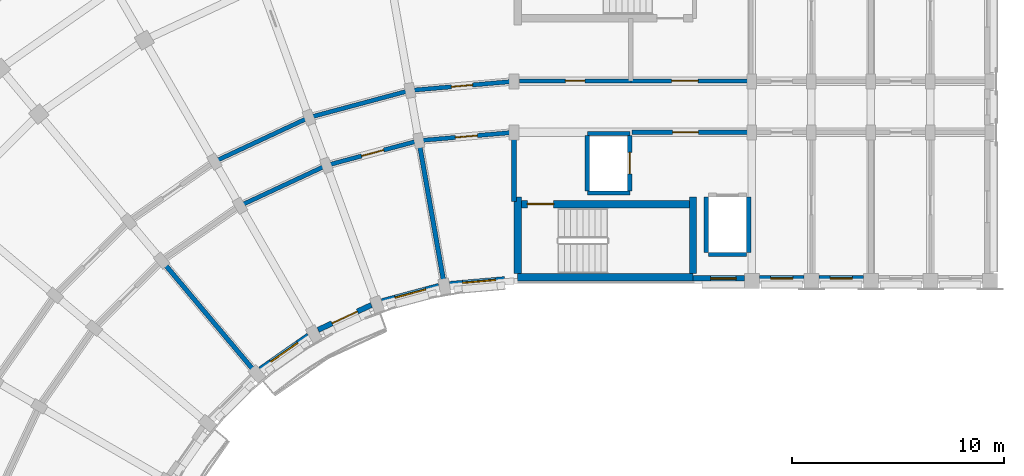
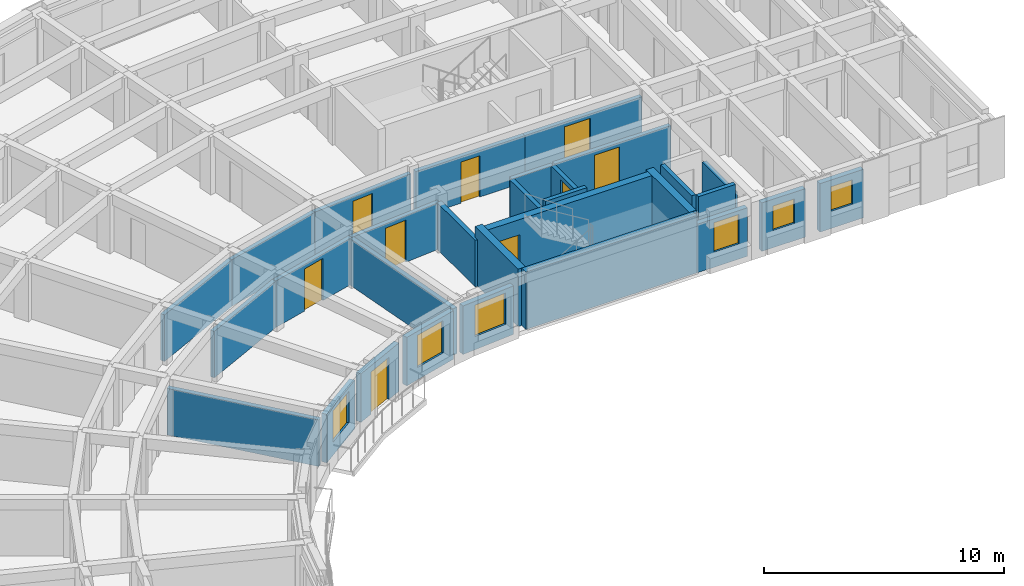
# One storey, part 27 of 57: 30 walls, 9 doors, 6 windows, 15 openings.
"""IFC4 building model written with IfcOpenShell, lengths in metres."""

from ifc_helpers import new_model, si_unit, direction, frame, frame_2d, origin, place, context, subcontext, project, spatial, rectangle, extrude, material, layer, layer_set, type_object, element, fill, save


model = new_model("IFC4")

# Units and contexts
model_context = context("Model", 3, precision=1e-05, world=origin(), true_north=direction((0.0, 1.0)))
body_context = subcontext(model_context, "Body", "Model", "MODEL_VIEW")
ifc_project = project(units=[si_unit("LENGTHUNIT", "METRE"), si_unit("AREAUNIT", "SQUARE_METRE"), si_unit("VOLUMEUNIT", "CUBIC_METRE"), si_unit("PLANEANGLEUNIT", "RADIAN"), si_unit("MASSUNIT", "GRAM", prefix="KILO")], contexts=[model_context])

# Site, building, storey
site_placement = place(None, origin())
site = spatial("IfcSite", under=ifc_project, at=site_placement, CompositionType="ELEMENT")
building_placement = place(site_placement, origin())
building = spatial("IfcBuilding", under=site, at=building_placement, Name="Kiranvali Square Residences", CompositionType="ELEMENT")
storey_placement = place(building_placement, frame((0.0, 0.0, 21.300048828125)))
storey = spatial("IfcBuildingStorey", under=building, at=storey_placement, Name="L06", CompositionType="ELEMENT", Elevation=21.300048828125)

# Wall, opening, door
ifc_material_1 = material(Name="Autoclaved aerated concrete blockwork masonry", Category="masonry")
ifc_layer_1 = layer(ifc_material_1, 0.199951171875)
ifc_layer_set_1 = layer_set([ifc_layer_1], Name="Autoclaved aerated concrete blockwork masonry")
wall_type_1 = type_object("IfcWallType", Name="WL-COR-200", PredefinedType="STANDARD", material=ifc_layer_set_1)
wall_1_placement = place(storey_placement, frame((53.75, 113.60009765625, 0.0), z_axis=(0.0, 0.0, 1.0), x_axis=(1.0, 0.0, 0.0)))
wall_1 = element("IfcWall", 1, at=wall_1_placement, inside=storey, type_object=wall_type_1, Name="L06 architectural wall WL-L06-A-LL-COR", PredefinedType="STANDARD", context=body_context, shape_type="SweptSolid", body=[
    extrude(rectangle(XDim=5.60009765625, YDim=0.199951171875, at=frame_2d((2.800048828125, 0.0))), origin(), (0.0, 0.0, 1.0), 2.3720703125),
])
opening_1_placement = place(wall_1_placement, frame((1.909912109375, 0.0, 0.0)))
opening_1 = element("IfcOpeningElement", 2, at=opening_1_placement, cuts=wall_1, Name="Opening FD-COR-60", PredefinedType="OPENING", context=body_context, shape_type="SweptSolid", body=[
    extrude(rectangle(XDim=1.219970703125, YDim=2.14990234375, at=frame_2d((0.60986328125, 1.074951171875))), frame((0.0, 0.10986328125, 0.0), z_axis=(0.0, -1.0, 0.0), x_axis=(1.0, 0.0, 0.0)), (0.0, 0.0, 1.0), 0.219970703125),
])
ifc_material_2 = material(Name="Fire-rated acoustic hardwood and mineral-core door assembly", Category="wood")
door_type_1 = type_object("IfcDoorType", Name="DR-FD60-1200", OperationType="NOTDEFINED", PredefinedType="DOOR", material=ifc_material_2)
door_1_placement = place(opening_1_placement, origin())
door_1 = element("IfcDoor", 3, at=door_1_placement, inside=storey, type_object=door_type_1, Name="L06 door DR-L06-0403 (DR-FD60-1200)", OperationType="SINGLE_SWING_LEFT", OverallHeight=2.14990234375, OverallWidth=1.219970703125, PredefinedType="DOOR", context=body_context, shape_type="SweptSolid", body=[
    extrude(rectangle(XDim=1.219970703125, YDim=2.14990234375, at=frame_2d((0.60986328125, 1.074951171875))), frame((0.0, 0.02490234375, 0.0), z_axis=(0.0, -1.0, 0.0), x_axis=(1.0, 0.0, 0.0)), (0.0, 0.0, 1.0), 0.050048828125),
])
fill(opening_1, door_1)

wall_2_placement = place(storey_placement, frame((48.199951171875, 113.60009765625, 0.0), z_axis=(0.0, 0.0, 1.0), x_axis=(-0.996191949488, -0.087187153726, 0.0)))
wall_2 = element("IfcWall", 4, at=wall_2_placement, inside=storey, type_object=wall_type_1, Name="L06 architectural wall WL-L06-A-CCI-0", PredefinedType="STANDARD", context=body_context, shape_type="SweptSolid", body=[
    extrude(rectangle(XDim=4.4970703125, YDim=0.199951171875, at=frame_2d((2.24853515625, 0.0))), origin(), (0.0, 0.0, 1.0), 2.3720703125),
])
opening_2_placement = place(wall_2_placement, frame((1.728515625, 0.0, 0.0)))
opening_2 = element("IfcOpeningElement", 5, at=opening_2_placement, cuts=wall_2, Name="Opening FD-APT-60B", PredefinedType="OPENING", context=body_context, shape_type="SweptSolid", body=[
    extrude(rectangle(XDim=1.0400390625, YDim=2.14990234375, at=frame_2d((0.52001953125, 1.074951171875))), frame((0.0, 0.10986328125, 0.0), z_axis=(0.0, -1.0, 0.0), x_axis=(1.0, 0.0, 0.0)), (0.0, 0.0, 1.0), 0.219970703125),
])
door_type_2 = type_object("IfcDoorType", Name="DR-APT-1040", OperationType="NOTDEFINED", PredefinedType="DOOR", material=ifc_material_2)
door_2_placement = place(opening_2_placement, origin())
door_2 = element("IfcDoor", 6, at=door_2_placement, inside=storey, type_object=door_type_2, Name="L06 door DR-L06-0437 (DR-APT-1040)", OperationType="SINGLE_SWING_LEFT", OverallHeight=2.14990234375, OverallWidth=1.0400390625, PredefinedType="DOOR", context=body_context, shape_type="SweptSolid", body=[
    extrude(rectangle(XDim=1.0400390625, YDim=2.14990234375, at=frame_2d((0.52001953125, 1.074951171875))), frame((0.0, 0.02490234375, 0.0), z_axis=(0.0, -1.0, 0.0), x_axis=(1.0, 0.0, 0.0)), (0.0, 0.0, 1.0), 0.050048828125),
])
fill(opening_2, door_2)

wall_3_placement = place(storey_placement, frame((48.199951171875, 116.0, 0.0), z_axis=(0.0, 0.0, 1.0), x_axis=(-0.996193663584, -0.087167566415, 0.0)))
wall_3 = element("IfcWall", 7, at=wall_3_placement, inside=storey, type_object=wall_type_1, Name="L06 architectural wall WL-L06-A-CCO-0", PredefinedType="STANDARD", context=body_context, shape_type="SweptSolid", body=[
    extrude(rectangle(XDim=4.91552734375, YDim=0.199951171875, at=frame_2d((2.457763671875, 0.0))), origin(), (0.0, 0.0, 1.0), 2.3720703125),
])
opening_3_placement = place(wall_3_placement, frame((1.957763671875, 0.0, 0.0)))
opening_3 = element("IfcOpeningElement", 8, at=opening_3_placement, cuts=wall_3, Name="Opening FD-APT-60", PredefinedType="OPENING", context=body_context, shape_type="SweptSolid", body=[
    extrude(rectangle(XDim=1.0, YDim=2.14990234375, at=frame_2d((0.5, 1.074951171875))), frame((0.0, 0.10986328125, 0.0), z_axis=(0.0, -1.0, 0.0), x_axis=(1.0, 0.0, 0.0)), (0.0, 0.0, 1.0), 0.219970703125),
])
door_type_3 = type_object("IfcDoorType", Name="DR-APT-1000", OperationType="NOTDEFINED", PredefinedType="DOOR", material=ifc_material_2)
door_3_placement = place(opening_3_placement, origin())
door_3 = element("IfcDoor", 9, at=door_3_placement, inside=storey, type_object=door_type_3, Name="L06 door DR-L06-0427 (DR-APT-1000)", OperationType="SINGLE_SWING_LEFT", OverallHeight=2.14990234375, OverallWidth=1.0, PredefinedType="DOOR", context=body_context, shape_type="SweptSolid", body=[
    extrude(rectangle(XDim=1.0, YDim=2.14990234375, at=frame_2d((0.5, 1.074951171875))), frame((0.0, 0.02490234375, 0.0), z_axis=(0.0, -1.0, 0.0), x_axis=(1.0, 0.0, 0.0)), (0.0, 0.0, 1.0), 0.050048828125),
])
fill(opening_3, door_3)

wall_4_placement = place(storey_placement, frame((43.719970703125, 113.2080078125, 0.0), z_axis=(0.0, 0.0, 1.0), x_axis=(-0.965934240054, -0.258787642463, 0.0)))
wall_4 = element("IfcWall", 10, at=wall_4_placement, inside=storey, type_object=wall_type_1, Name="L06 architectural wall WL-L06-A-CCI-1", PredefinedType="STANDARD", context=body_context, shape_type="SweptSolid", body=[
    extrude(rectangle(XDim=4.497314453125, YDim=0.199951171875, at=frame_2d((2.24853515625, 0.0))), origin(), (0.0, 0.0, 1.0), 2.3720703125),
])
opening_4_placement = place(wall_4_placement, frame((1.708740234375, 0.0, 0.0)))
opening_4 = element("IfcOpeningElement", 11, at=opening_4_placement, cuts=wall_4, Name="Opening FD-APT-60C", PredefinedType="OPENING", context=body_context, shape_type="SweptSolid", body=[
    extrude(rectangle(XDim=1.080078125, YDim=2.14990234375, at=frame_2d((0.5400390625, 1.074951171875))), frame((0.0, 0.10986328125, 0.0), z_axis=(0.0, -1.0, 0.0), x_axis=(1.0, 0.0, 0.0)), (0.0, 0.0, 1.0), 0.219970703125),
])
door_type_4 = type_object("IfcDoorType", Name="DR-APT-1080", OperationType="NOTDEFINED", PredefinedType="DOOR", material=ifc_material_2)
door_4_placement = place(opening_4_placement, frame((1.080078125, 0.0, 0.0), z_axis=(0.0, 0.0, 1.0), x_axis=(-1.0, 0.0, 0.0)))
door_4 = element("IfcDoor", 12, at=door_4_placement, inside=storey, type_object=door_type_4, Name="L06 door DR-L06-0438 (DR-APT-1080)", OperationType="SINGLE_SWING_RIGHT", OverallHeight=2.14990234375, OverallWidth=1.080078125, PredefinedType="DOOR", context=body_context, shape_type="SweptSolid", body=[
    extrude(rectangle(XDim=1.080078125, YDim=2.14990234375, at=frame_2d((0.5400390625, 1.074951171875))), frame((0.0, 0.02490234375, 0.0), z_axis=(0.0, -1.0, 0.0), x_axis=(1.0, 0.0, 0.0)), (0.0, 0.0, 1.0), 0.050048828125),
])
fill(opening_4, door_4)

# Walls
wall_5_placement = place(storey_placement, frame((43.30322265625, 115.571533203125, 0.0), z_axis=(0.0, 0.0, 1.0), x_axis=(-0.965930095386, -0.258803112091, 0.0)))
element("IfcWall", 13, at=wall_5_placement, inside=storey, type_object=wall_type_1, Name="L06 architectural wall WL-L06-A-CCO-1", PredefinedType="STANDARD", context=body_context, shape_type="SweptSolid", body=[
    extrude(rectangle(XDim=4.915771484375, YDim=0.199951171875, at=frame_2d((2.4580078125, 0.0))), origin(), (0.0, 0.0, 1.0), 2.3720703125),
])
wall_6_placement = place(storey_placement, frame((39.3759765625, 112.044189453125, 0.0), z_axis=(0.0, 0.0, 1.0), x_axis=(-0.906307919131, -0.422617978463, 0.0)))
element("IfcWall", 14, at=wall_6_placement, inside=storey, type_object=wall_type_1, Name="L06 architectural wall WL-L06-A-CCI-2", PredefinedType="STANDARD", context=body_context, shape_type="SweptSolid", body=[
    extrude(rectangle(XDim=4.497314453125, YDim=0.199951171875, at=frame_2d((2.24853515625, 0.0))), origin(), (0.0, 0.0, 1.0), 2.3720703125),
])
wall_7_placement = place(storey_placement, frame((38.554931640625, 114.29931640625, 0.0), z_axis=(0.0, 0.0, 1.0), x_axis=(-0.906302381024, -0.422629854778, 0.0)))
element("IfcWall", 15, at=wall_7_placement, inside=storey, type_object=wall_type_1, Name="L06 architectural wall WL-L06-A-CCO-2", PredefinedType="STANDARD", context=body_context, shape_type="SweptSolid", body=[
    extrude(rectangle(XDim=4.915283203125, YDim=0.199951171875, at=frame_2d((2.45751953125, 0.0))), origin(), (0.0, 0.0, 1.0), 2.3720703125),
])
ifc_layer_2 = layer(ifc_material_1, 0.219970703125)
ifc_layer_set_2 = layer_set([ifc_layer_2], Name="Autoclaved aerated concrete blockwork masonry")
wall_type_2 = type_object("IfcWallType", Name="WL-DEM-220", PredefinedType="STANDARD", material=ifc_layer_set_2)
wall_8_placement = place(storey_placement, frame((48.199951171875, 110.35009765625, 0.0), z_axis=(0.0, 0.0, 1.0), x_axis=(0.0, 1.0, 0.0)))
element("IfcWall", 16, at=wall_8_placement, inside=storey, type_object=wall_type_2, Name="L06 architectural wall WL-L06-A-RADI-0", PredefinedType="STANDARD", context=body_context, shape_type="SweptSolid", body=[
    extrude(rectangle(XDim=3.199951171875, YDim=0.219970703125, at=frame_2d((1.60009765625, 0.0))), origin(), (0.0, 0.0, 1.0), 2.3720703125),
])
for number, where, z_axis, x_axis, name in (
    (17, (44.900634765625, 106.51123046875, 0.0), (0.0, 0.0, 1.0), (-0.173647089161, 0.984807944945, 0.0), "L06 architectural wall WL-L06-A-RADI-1"),
    (18, (35.987060546875, 102.354736328125, 0.0), (0.0, 0.0, 1.0), (-0.642784846501, 0.766046761698, 0.0), "L06 architectural wall WL-L06-A-RADI-4"),
):
    element("IfcWall", number, at=place(storey_placement, frame(where, z_axis=z_axis, x_axis=x_axis)), inside=storey, type_object=wall_type_2, Name=name, PredefinedType="STANDARD", context=body_context, shape_type="SweptSolid", body=[
        extrude(rectangle(XDim=6.75, YDim=0.219970703125, at=frame_2d((3.375, 0.0))), origin(), (0.0, 0.0, 1.0), 2.3720703125),
    ])

# Wall, opening, window
ifc_material_3 = material(Name="Breathable lime-rendered clay brick masonry", Category="masonry")
ifc_layer_3 = layer(ifc_material_3, 0.25)
ifc_layer_set_3 = layer_set([ifc_layer_3], Name="Breathable lime-rendered clay brick masonry")
wall_type_3 = type_object("IfcWallType", Name="WL-EXT-250", PredefinedType="STANDARD", material=ifc_layer_set_3)
wall_9_placement = place(storey_placement, frame((47.750732421875, 106.686279296875, 0.0), z_axis=(0.0, 0.0, 1.0), x_axis=(-0.996188278786, -0.087229084652, 0.0)))
wall_9 = element("IfcWall", 19, at=wall_9_placement, inside=storey, type_object=wall_type_3, Name="L06 exterior wall A-L06-GDN-00", PredefinedType="STANDARD", context=body_context, shape_type="SweptSolid", body=[
    extrude(rectangle(XDim=2.583251953125, YDim=0.25, at=frame_2d((1.29150390625, 0.0))), origin(), (0.0, 0.0, 1.0), 2.471923828125),
])
opening_5_placement = place(wall_9_placement, frame((0.423583984375, 0.0, 0.672119140625)))
opening_5 = element("IfcOpeningElement", 20, at=opening_5_placement, cuts=wall_9, Name="Opening W-18", PredefinedType="OPENING", context=body_context, shape_type="SweptSolid", body=[
    extrude(rectangle(XDim=1.550048828125, YDim=1.60009765625, at=frame_2d((0.77490234375, 0.800048828125))), frame((0.0, 0.135009765625, 0.0), z_axis=(0.0, -1.0, 0.0), x_axis=(1.0, 0.0, 0.0)), (0.0, 0.0, 1.0), 0.27001953125),
])
ifc_material_4 = material(Name="Solar-control low-e double glazing", Category="glass")
window_type_1 = type_object("IfcWindowType", Name="WIN-GDN-1550x1600", PartitioningType="DOUBLE_PANEL_VERTICAL", PredefinedType="WINDOW", material=ifc_material_4)
window_1_placement = place(opening_5_placement, origin())
window_1 = element("IfcWindow", 21, at=window_1_placement, inside=storey, type_object=window_type_1, Name="L06 recessed window A-L06-GDN-00", OverallHeight=1.60009765625, OverallWidth=1.550048828125, PartitioningType="DOUBLE_PANEL_VERTICAL", PredefinedType="WINDOW", context=body_context, shape_type="SweptSolid", body=[
    extrude(rectangle(XDim=1.550048828125, YDim=1.60009765625, at=frame_2d((0.77490234375, 0.800048828125))), frame((0.0, 0.030029296875, 0.0), z_axis=(0.0, -1.0, 0.0), x_axis=(1.0, 0.0, 0.0)), (0.0, 0.0, 1.0), 0.06005859375),
])
fill(opening_5, window_1)

wall_10_placement = place(storey_placement, frame((44.658203125, 106.369384765625, 0.0), z_axis=(0.0, 0.0, 1.0), x_axis=(-0.965935855992, -0.25878161084, 0.0)))
wall_10 = element("IfcWall", 22, at=wall_10_placement, inside=storey, type_object=wall_type_3, Name="L06 exterior wall A-L06-GDN-01", PredefinedType="STANDARD", context=body_context, shape_type="SweptSolid", body=[
    extrude(rectangle(XDim=2.769775390625, YDim=0.25, at=frame_2d((1.384765625, 0.0))), origin(), (0.0, 0.0, 1.0), 2.471923828125),
])
opening_6_placement = place(wall_10_placement, frame((0.635009765625, 0.0, 0.6220703125)))
opening_6 = element("IfcOpeningElement", 23, at=opening_6_placement, cuts=wall_10, Name="Opening W-05", PredefinedType="OPENING", context=body_context, shape_type="SweptSolid", body=[
    extrude(rectangle(XDim=1.5, YDim=1.64990234375, at=frame_2d((0.75, 0.824951171875))), frame((0.0, 0.135009765625, 0.0), z_axis=(0.0, -1.0, 0.0), x_axis=(1.0, 0.0, 0.0)), (0.0, 0.0, 1.0), 0.27001953125),
])
window_type_2 = type_object("IfcWindowType", Name="WIN-RES-1500x1650", PartitioningType="DOUBLE_PANEL_VERTICAL", PredefinedType="WINDOW", material=ifc_material_4)
window_2_placement = place(opening_6_placement, origin())
window_2 = element("IfcWindow", 24, at=window_2_placement, inside=storey, type_object=window_type_2, Name="L06 recessed window A-L06-GDN-01", OverallHeight=1.64990234375, OverallWidth=1.5, PartitioningType="DOUBLE_PANEL_VERTICAL", PredefinedType="WINDOW", context=body_context, shape_type="SweptSolid", body=[
    extrude(rectangle(XDim=1.5, YDim=1.64990234375, at=frame_2d((0.75, 0.824951171875))), frame((0.0, 0.030029296875, 0.0), z_axis=(0.0, -1.0, 0.0), x_axis=(1.0, 0.0, 0.0)), (0.0, 0.0, 1.0), 0.06005859375),
])
fill(opening_6, window_2)

# Wall, opening, door
wall_11_placement = place(storey_placement, frame((41.4873046875, 105.472412109375, 0.0), z_axis=(0.0, 0.0, 1.0), x_axis=(-0.906293449611, -0.422649007088, 0.0)))
wall_11 = element("IfcWall", 25, at=wall_11_placement, inside=storey, type_object=wall_type_3, Name="L06 exterior wall A-L06-GDN-02", PredefinedType="STANDARD", context=body_context, shape_type="SweptSolid", body=[
    extrude(rectangle(XDim=2.769775390625, YDim=0.25, at=frame_2d((1.384765625, 0.0))), origin(), (0.0, 0.0, 1.0), 2.471923828125),
])
opening_7_placement = place(wall_11_placement, frame((0.724853515625, 0.0, 0.0)))
opening_7 = element("IfcOpeningElement", 26, at=opening_7_placement, cuts=wall_11, Name="Opening ED-BAL-3", PredefinedType="OPENING", context=body_context, shape_type="SweptSolid", body=[
    extrude(rectangle(XDim=1.320068359375, YDim=2.14990234375, at=frame_2d((0.66015625, 1.074951171875))), frame((0.0, 0.135009765625, 0.0), z_axis=(0.0, -1.0, 0.0), x_axis=(1.0, 0.0, 0.0)), (0.0, 0.0, 1.0), 0.27001953125),
])
ifc_material_5 = material(Name="Anodised bronze aluminium framing", Category="aluminium")
door_type_5 = type_object("IfcDoorType", Name="DR-BAL-1320", OperationType="NOTDEFINED", PredefinedType="DOOR", material=ifc_material_5)
door_5_placement = place(opening_7_placement, origin())
door_5 = element("IfcDoor", 27, at=door_5_placement, inside=storey, type_object=door_type_5, Name="L06 balcony terrace door", OperationType="SINGLE_SWING_RIGHT", OverallHeight=2.14990234375, OverallWidth=1.320068359375, PredefinedType="DOOR", context=body_context, shape_type="SweptSolid", body=[
    extrude(rectangle(XDim=1.320068359375, YDim=2.14990234375, at=frame_2d((0.66015625, 1.074951171875))), frame((0.0, 0.02490234375, 0.0), z_axis=(0.0, -1.0, 0.0), x_axis=(1.0, 0.0, 0.0)), (0.0, 0.0, 1.0), 0.050048828125),
])
fill(opening_7, door_5)

# Wall, opening, window
wall_12_placement = place(storey_placement, frame((38.5205078125, 104.038330078125, 0.0), z_axis=(0.0, 0.0, 1.0), x_axis=(-0.819111815273, -0.573633885053, 0.0)))
wall_12 = element("IfcWall", 28, at=wall_12_placement, inside=storey, type_object=wall_type_3, Name="L06 exterior wall A-L06-GDN-03", PredefinedType="STANDARD", context=body_context, shape_type="SweptSolid", body=[
    extrude(rectangle(XDim=2.769775390625, YDim=0.25, at=frame_2d((1.384765625, 0.0))), origin(), (0.0, 0.0, 1.0), 2.471923828125),
])
opening_8_placement = place(wall_12_placement, frame((0.60986328125, 0.0, 0.672119140625)))
opening_8 = element("IfcOpeningElement", 29, at=opening_8_placement, cuts=wall_12, Name="Opening W-18", PredefinedType="OPENING", context=body_context, shape_type="SweptSolid", body=[
    extrude(rectangle(XDim=1.550048828125, YDim=1.60009765625, at=frame_2d((0.77490234375, 0.800048828125))), frame((0.0, 0.135009765625, 0.0), z_axis=(0.0, -1.0, 0.0), x_axis=(1.0, 0.0, 0.0)), (0.0, 0.0, 1.0), 0.27001953125),
])
window_3_placement = place(opening_8_placement, origin())
window_3 = element("IfcWindow", 30, at=window_3_placement, inside=storey, type_object=window_type_1, Name="L06 recessed window A-L06-GDN-03", OverallHeight=1.60009765625, OverallWidth=1.550048828125, PartitioningType="DOUBLE_PANEL_VERTICAL", PredefinedType="WINDOW", context=body_context, shape_type="SweptSolid", body=[
    extrude(rectangle(XDim=1.550048828125, YDim=1.60009765625, at=frame_2d((0.77490234375, 0.800048828125))), frame((0.0, 0.030029296875, 0.0), z_axis=(0.0, -1.0, 0.0), x_axis=(1.0, 0.0, 0.0)), (0.0, 0.0, 1.0), 0.06005859375),
])
fill(opening_8, window_3)

wall_13_placement = place(storey_placement, frame((56.62841796875, 106.72509765625, 0.0), z_axis=(0.0, 0.0, 1.0), x_axis=(1.0, 0.0, 0.0)))
wall_13 = element("IfcWall", 31, at=wall_13_placement, inside=storey, type_object=wall_type_3, Name="L06 exterior wall A-L06-A1IN-0", PredefinedType="STANDARD", context=body_context, shape_type="SweptSolid", body=[
    extrude(rectangle(XDim=2.421630859375, YDim=0.25, at=frame_2d((1.2109375, 0.0))), origin(), (0.0, 0.0, 1.0), 2.471923828125),
])
opening_9_placement = place(wall_13_placement, frame((0.821533203125, 0.0, 0.77197265625)))
opening_9 = element("IfcOpeningElement", 32, at=opening_9_placement, cuts=wall_13, Name="Opening W-06", PredefinedType="OPENING", context=body_context, shape_type="SweptSolid", body=[
    extrude(rectangle(XDim=1.199951171875, YDim=1.5, at=frame_2d((0.60009765625, 0.75))), frame((0.0, 0.135009765625, 0.0), z_axis=(0.0, -1.0, 0.0), x_axis=(1.0, 0.0, 0.0)), (0.0, 0.0, 1.0), 0.27001953125),
])
window_type_3 = type_object("IfcWindowType", Name="WIN-RES-1200x1500", PartitioningType="SINGLE_PANEL", PredefinedType="WINDOW", material=ifc_material_4)
window_4_placement = place(opening_9_placement, origin())
window_4 = element("IfcWindow", 33, at=window_4_placement, inside=storey, type_object=window_type_3, Name="L06 recessed window A-L06-A1IN-0", OverallHeight=1.5, OverallWidth=1.199951171875, PartitioningType="SINGLE_PANEL", PredefinedType="WINDOW", context=body_context, shape_type="SweptSolid", body=[
    extrude(rectangle(XDim=1.199951171875, YDim=1.5, at=frame_2d((0.60009765625, 0.75))), frame((0.0, 0.030029296875, 0.0), z_axis=(0.0, -1.0, 0.0), x_axis=(1.0, 0.0, 0.0)), (0.0, 0.0, 1.0), 0.06005859375),
])
fill(opening_9, window_4)

wall_14_placement = place(storey_placement, frame((59.75341796875, 106.72509765625, 0.0), z_axis=(0.0, 0.0, 1.0), x_axis=(1.0, 0.0, 0.0)))
wall_14 = element("IfcWall", 34, at=wall_14_placement, inside=storey, type_object=wall_type_3, Name="L06 exterior wall A-L06-A1I-0", PredefinedType="STANDARD", context=body_context, shape_type="SweptSolid", body=[
    extrude(rectangle(XDim=2.093017578125, YDim=0.25, at=frame_2d((1.04638671875, 0.0))), origin(), (0.0, 0.0, 1.0), 2.471923828125),
])
opening_10_placement = place(wall_14_placement, frame((0.521484375, 0.0, 0.8798828125)))
opening_10 = element("IfcOpeningElement", 35, at=opening_10_placement, cuts=wall_14, Name="Opening W-24", PredefinedType="OPENING", context=body_context, shape_type="SweptSolid", body=[
    extrude(rectangle(XDim=1.050048828125, YDim=1.25, at=frame_2d((0.52490234375, 0.625))), frame((0.0, 0.135009765625, 0.0), z_axis=(0.0, -1.0, 0.0), x_axis=(1.0, 0.0, 0.0)), (0.0, 0.0, 1.0), 0.27001953125),
])
window_type_4 = type_object("IfcWindowType", Name="WIN-COR-1050x1250", PartitioningType="SINGLE_PANEL", PredefinedType="WINDOW", material=ifc_material_4)
window_5_placement = place(opening_10_placement, origin())
window_5 = element("IfcWindow", 36, at=window_5_placement, inside=storey, type_object=window_type_4, Name="L06 recessed window A-L06-A1I-0", OverallHeight=1.25, OverallWidth=1.050048828125, PartitioningType="SINGLE_PANEL", PredefinedType="WINDOW", context=body_context, shape_type="SweptSolid", body=[
    extrude(rectangle(XDim=1.050048828125, YDim=1.25, at=frame_2d((0.52490234375, 0.625))), frame((0.0, 0.030029296875, 0.0), z_axis=(0.0, -1.0, 0.0), x_axis=(1.0, 0.0, 0.0)), (0.0, 0.0, 1.0), 0.06005859375),
])
fill(opening_10, window_5)

wall_15_placement = place(storey_placement, frame((62.553466796875, 106.72509765625, 0.0), z_axis=(0.0, 0.0, 1.0), x_axis=(1.0, 0.0, 0.0)))
wall_15 = element("IfcWall", 37, at=wall_15_placement, inside=storey, type_object=wall_type_3, Name="L06 exterior wall A-L06-A1I-1", PredefinedType="STANDARD", context=body_context, shape_type="SweptSolid", body=[
    extrude(rectangle(XDim=2.093017578125, YDim=0.25, at=frame_2d((1.04638671875, 0.0))), origin(), (0.0, 0.0, 1.0), 2.471923828125),
])
opening_11_placement = place(wall_15_placement, frame((0.521484375, 0.0, 0.8798828125)))
opening_11 = element("IfcOpeningElement", 38, at=opening_11_placement, cuts=wall_15, Name="Opening W-24", PredefinedType="OPENING", context=body_context, shape_type="SweptSolid", body=[
    extrude(rectangle(XDim=1.050048828125, YDim=1.25, at=frame_2d((0.52490234375, 0.625))), frame((0.0, 0.135009765625, 0.0), z_axis=(0.0, -1.0, 0.0), x_axis=(1.0, 0.0, 0.0)), (0.0, 0.0, 1.0), 0.27001953125),
])
window_6_placement = place(opening_11_placement, origin())
window_6 = element("IfcWindow", 39, at=window_6_placement, inside=storey, type_object=window_type_4, Name="L06 recessed window A-L06-A1I-1", OverallHeight=1.25, OverallWidth=1.050048828125, PartitioningType="SINGLE_PANEL", PredefinedType="WINDOW", context=body_context, shape_type="SweptSolid", body=[
    extrude(rectangle(XDim=1.050048828125, YDim=1.25, at=frame_2d((0.52490234375, 0.625))), frame((0.0, 0.030029296875, 0.0), z_axis=(0.0, -1.0, 0.0), x_axis=(1.0, 0.0, 0.0)), (0.0, 0.0, 1.0), 0.06005859375),
])
fill(opening_11, window_6)

# Wall, opening, door
ifc_layer_4 = layer(ifc_material_1, 0.199951171875)
ifc_layer_set_4 = layer_set([ifc_layer_4], Name="Autoclaved aerated concrete blockwork masonry")
wall_type_4 = type_object("IfcWallType", Name="WL-FFL-200", PredefinedType="STANDARD", material=ifc_layer_set_4)
wall_16_placement = place(storey_placement, frame((53.699951171875, 116.02001953125, 0.0), z_axis=(0.0, 0.0, 1.0), x_axis=(1.0, 0.0, 0.0)))
wall_16 = element("IfcWall", 40, at=wall_16_placement, inside=storey, type_object=wall_type_4, Name="L06 architectural wall WL-L06-A-FF-COR", PredefinedType="STANDARD", context=body_context, shape_type="SweptSolid", body=[
    extrude(rectangle(XDim=5.650146484375, YDim=0.199951171875, at=frame_2d((2.8251953125, 0.0))), origin(), (0.0, 0.0, 1.0), 2.3720703125),
])
opening_12_placement = place(wall_16_placement, frame((1.922607421875, 0.0, 0.0)))
opening_12 = element("IfcOpeningElement", 41, at=opening_12_placement, cuts=wall_16, Name="Opening FD-ST-120", PredefinedType="OPENING", context=body_context, shape_type="SweptSolid", body=[
    extrude(rectangle(XDim=1.239990234375, YDim=2.14990234375, at=frame_2d((0.6201171875, 1.074951171875))), frame((0.0, 0.10986328125, 0.0), z_axis=(0.0, -1.0, 0.0), x_axis=(1.0, 0.0, 0.0)), (0.0, 0.0, 1.0), 0.219970703125),
])
door_type_6 = type_object("IfcDoorType", Name="DR-FD120-1200", OperationType="NOTDEFINED", PredefinedType="DOOR", material=ifc_material_2)
door_6_placement = place(opening_12_placement, origin())
door_6 = element("IfcDoor", 42, at=door_6_placement, inside=storey, type_object=door_type_6, Name="L06 door DR-L06-0395 (DR-FD120-1200)", OperationType="SINGLE_SWING_LEFT", OverallHeight=2.14990234375, OverallWidth=1.239990234375, PredefinedType="DOOR", context=body_context, shape_type="SweptSolid", body=[
    extrude(rectangle(XDim=1.239990234375, YDim=2.14990234375, at=frame_2d((0.6201171875, 1.074951171875))), frame((0.0, 0.02490234375, 0.0), z_axis=(0.0, -1.0, 0.0), x_axis=(1.0, 0.0, 0.0)), (0.0, 0.0, 1.0), 0.050048828125),
])
fill(opening_12, door_6)

ifc_layer_5 = layer(ifc_material_1, 0.199951171875)
ifc_layer_set_5 = layer_set([ifc_layer_5], Name="Autoclaved aerated concrete blockwork masonry")
wall_type_5 = type_object("IfcWallType", Name="WL-SHF-200", PredefinedType="STANDARD", material=ifc_layer_set_5)
wall_17_placement = place(storey_placement, frame((48.449951171875, 116.02001953125, 0.0), z_axis=(0.0, 0.0, 1.0), x_axis=(1.0, 0.0, 0.0)))
wall_17 = element("IfcWall", 43, at=wall_17_placement, inside=storey, type_object=wall_type_5, Name="L06 architectural wall WL-L06-A-RSR-COR", PredefinedType="STANDARD", context=body_context, shape_type="SweptSolid", body=[
    extrude(rectangle(XDim=5.25, YDim=0.199951171875, at=frame_2d((2.625, 0.0))), origin(), (0.0, 0.0, 1.0), 2.3720703125),
])
opening_13_placement = place(wall_17_placement, frame((2.1650390625, 0.0, 0.0)))
opening_13 = element("IfcOpeningElement", 44, at=opening_13_placement, cuts=wall_17, Name="Opening FD-SVC-120", PredefinedType="OPENING", context=body_context, shape_type="SweptSolid", body=[
    extrude(rectangle(XDim=0.919921875, YDim=2.10009765625, at=frame_2d((0.4599609375, 1.050048828125))), frame((0.0, 0.10986328125, 0.0), z_axis=(0.0, -1.0, 0.0), x_axis=(1.0, 0.0, 0.0)), (0.0, 0.0, 1.0), 0.219970703125),
])
door_type_7 = type_object("IfcDoorType", Name="DR-SVC-900", OperationType="NOTDEFINED", PredefinedType="DOOR", material=ifc_material_2)
door_7_placement = place(opening_13_placement, frame((0.919921875, 0.0, 0.0), z_axis=(0.0, 0.0, 1.0), x_axis=(-1.0, 0.0, 0.0)))
door_7 = element("IfcDoor", 45, at=door_7_placement, inside=storey, type_object=door_type_7, Name="L06 door DR-L06-0396 (DR-SVC-900)", OperationType="SINGLE_SWING_RIGHT", OverallHeight=2.10009765625, OverallWidth=0.919921875, PredefinedType="DOOR", context=body_context, shape_type="SweptSolid", body=[
    extrude(rectangle(XDim=0.919921875, YDim=2.10009765625, at=frame_2d((0.4599609375, 1.050048828125))), frame((0.0, 0.02490234375, 0.0), z_axis=(0.0, -1.0, 0.0), x_axis=(1.0, 0.0, 0.0)), (0.0, 0.0, 1.0), 0.050048828125),
])
fill(opening_13, door_7)

# Walls
wall_18_placement = place(storey_placement, frame((57.25, 107.949951171875, 0.0), z_axis=(0.0, 0.0, 1.0), x_axis=(0.0, 1.0, 0.0)))
element("IfcWall", 46, at=wall_18_placement, inside=storey, type_object=wall_type_5, Name="L06 architectural wall WL-L06-A-LP1-S1", PredefinedType="STANDARD", context=body_context, shape_type="SweptSolid", body=[
    extrude(rectangle(XDim=2.60009765625, YDim=0.199951171875, at=frame_2d((1.300048828125, 0.0))), origin(), (0.0, 0.0, 1.0), 2.929931640625),
])
wall_19_placement = place(storey_placement, frame((59.25, 107.949951171875, 0.0), z_axis=(0.0, 0.0, 1.0), x_axis=(0.0, 1.0, 0.0)))
element("IfcWall", 47, at=wall_19_placement, inside=storey, type_object=wall_type_5, Name="L06 architectural wall WL-L06-A-LP1-B", PredefinedType="STANDARD", context=body_context, shape_type="SweptSolid", body=[
    extrude(rectangle(XDim=2.60009765625, YDim=0.199951171875, at=frame_2d((1.300048828125, 0.0))), origin(), (0.0, 0.0, 1.0), 2.3720703125),
])
wall_20_placement = place(storey_placement, frame((57.35009765625, 107.85009765625, 0.0), z_axis=(0.0, 0.0, 1.0), x_axis=(1.0, 0.0, 0.0)))
element("IfcWall", 48, at=wall_20_placement, inside=storey, type_object=wall_type_5, Name="L06 architectural wall WL-L06-A-LP1-S2", PredefinedType="STANDARD", context=body_context, shape_type="SweptSolid", body=[
    extrude(rectangle(XDim=1.7998046875, YDim=0.199951171875, at=frame_2d((0.89990234375, 0.0))), origin(), (0.0, 0.0, 1.0), 2.929931640625),
])
wall_21_placement = place(storey_placement, frame((51.64990234375, 110.75, 0.0), z_axis=(0.0, 0.0, 1.0), x_axis=(1.0, 0.0, 0.0)))
element("IfcWall", 49, at=wall_21_placement, inside=storey, type_object=wall_type_5, Name="L06 architectural wall WL-L06-A-LP2-S0", PredefinedType="STANDARD", context=body_context, shape_type="SweptSolid", body=[
    extrude(rectangle(XDim=2.0, YDim=0.199951171875, at=frame_2d((1.0, 0.0))), origin(), (0.0, 0.0, 1.0), 2.929931640625),
])
wall_22_placement = place(storey_placement, frame((51.64990234375, 113.550048828125, 0.0), z_axis=(0.0, 0.0, 1.0), x_axis=(1.0, 0.0, 0.0)))
element("IfcWall", 50, at=wall_22_placement, inside=storey, type_object=wall_type_5, Name="L06 architectural wall WL-L06-A-LP2-B", PredefinedType="STANDARD", context=body_context, shape_type="SweptSolid", body=[
    extrude(rectangle(XDim=2.0, YDim=0.199951171875, at=frame_2d((1.0, 0.0))), origin(), (0.0, 0.0, 1.0), 2.3720703125),
])
wall_23_placement = place(storey_placement, frame((51.64990234375, 110.85009765625, 0.0), z_axis=(0.0, 0.0, 1.0), x_axis=(0.0, 1.0, 0.0)))
element("IfcWall", 51, at=wall_23_placement, inside=storey, type_object=wall_type_5, Name="L06 architectural wall WL-L06-A-LP2-S1", PredefinedType="STANDARD", context=body_context, shape_type="SweptSolid", body=[
    extrude(rectangle(XDim=2.599853515625, YDim=0.199951171875, at=frame_2d((1.2998046875, 0.0))), origin(), (0.0, 0.0, 1.0), 2.3720703125),
])

# Wall, opening, door
wall_24_placement = place(storey_placement, frame((53.64990234375, 110.85009765625, 0.0), z_axis=(0.0, 0.0, 1.0), x_axis=(0.0, 1.0, 0.0)))
wall_24 = element("IfcWall", 52, at=wall_24_placement, inside=storey, type_object=wall_type_5, Name="L06 architectural wall WL-L06-A-LP2-F", PredefinedType="STANDARD", context=body_context, shape_type="SweptSolid", body=[
    extrude(rectangle(XDim=2.599853515625, YDim=0.199951171875, at=frame_2d((1.2998046875, 0.0))), origin(), (0.0, 0.0, 1.0), 2.3720703125),
])
opening_14_placement = place(wall_24_placement, frame((0.7900390625, 0.0, 0.0)))
opening_14 = element("IfcOpeningElement", 53, at=opening_14_placement, cuts=wall_24, Name="Opening LD-PAX-100", PredefinedType="OPENING", context=body_context, shape_type="SweptSolid", body=[
    extrude(rectangle(XDim=1.02001953125, YDim=2.14990234375, at=frame_2d((0.510009765625, 1.074951171875))), frame((0.0, 0.10986328125, 0.0), z_axis=(0.0, -1.0, 0.0), x_axis=(1.0, 0.0, 0.0)), (0.0, 0.0, 1.0), 0.219970703125),
])
door_type_8 = type_object("IfcDoorType", Name="DR-LIFT-1000", OperationType="SLIDING_TO_RIGHT", PredefinedType="DOOR", material=ifc_material_2)
door_8_placement = place(opening_14_placement, origin())
door_8 = element("IfcDoor", 54, at=door_8_placement, inside=storey, type_object=door_type_8, Name="L06 door DR-L06-0402 (DR-LIFT-1000)", OperationType="SLIDING_TO_RIGHT", OverallHeight=2.14990234375, OverallWidth=1.02001953125, PredefinedType="DOOR", context=body_context, shape_type="SweptSolid", body=[
    extrude(rectangle(XDim=1.02001953125, YDim=2.14990234375, at=frame_2d((0.510009765625, 1.074951171875))), frame((0.0, 0.02490234375, 0.0), z_axis=(0.0, -1.0, 0.0), x_axis=(1.0, 0.0, 0.0)), (0.0, 0.0, 1.0), 0.050048828125),
])
fill(opening_14, door_8)

# Wall
ifc_material_6 = material(Name="Concrete M45 (45 MPa)", Category="concrete")
ifc_layer_6 = layer(ifc_material_6, 0.320068359375)
ifc_layer_set_6 = layer_set([ifc_layer_6], Name="Concrete M45 (45 MPa)")
wall_type_6 = type_object("IfcWallType", Name="WL-SHR-320", PredefinedType="SHEAR", material=ifc_layer_set_6)
wall_25_placement = place(storey_placement, frame((48.375, 106.77490234375, 0.0), z_axis=(0.0, 0.0, 1.0), x_axis=(1.0, 0.0, 0.0)))
element("IfcWall", 55, at=wall_25_placement, inside=storey, type_object=wall_type_6, Name="Block A core shear wall SW-A2-OUT-L06", PredefinedType="SHEAR", context=body_context, shape_type="SweptSolid", body=[
    extrude(rectangle(XDim=8.25, YDim=0.35009765625, at=frame_2d((4.125, 0.0))), origin(), (0.0, 0.0, 1.0), 2.929931640625),
])

# Wall, opening, door
wall_26_placement = place(storey_placement, frame((48.550048828125, 110.22509765625, 0.0), z_axis=(0.0, 0.0, 1.0), x_axis=(1.0, 0.0, 0.0)))
wall_26 = element("IfcWall", 56, at=wall_26_placement, inside=storey, type_object=wall_type_6, Name="Block A core shear wall SW-A2-IN-L06", PredefinedType="SHEAR", context=body_context, shape_type="SweptSolid", body=[
    extrude(rectangle(XDim=7.89990234375, YDim=0.35009765625, at=frame_2d((3.949951171875, 0.0))), origin(), (0.0, 0.0, 1.0), 2.929931640625),
])
opening_15_placement = place(wall_26_placement, frame((0.280029296875, 0.0, 0.0)))
opening_15 = element("IfcOpeningElement", 57, at=opening_15_placement, cuts=wall_26, Name="Opening FD-ST-120", PredefinedType="OPENING", context=body_context, shape_type="SweptSolid", body=[
    extrude(rectangle(XDim=1.239990234375, YDim=2.14990234375, at=frame_2d((0.6201171875, 1.074951171875))), frame((0.0, 0.18505859375, 0.0), z_axis=(0.0, -1.0, 0.0), x_axis=(1.0, 0.0, 0.0)), (0.0, 0.0, 1.0), 0.3701171875),
])
door_9_placement = place(opening_15_placement, frame((1.239990234375, 0.0, 0.0), z_axis=(0.0, 0.0, 1.0), x_axis=(-1.0, 0.0, 0.0)))
door_9 = element("IfcDoor", 58, at=door_9_placement, inside=storey, type_object=door_type_6, Name="L06 door DR-L06-0399 (DR-FD120-1200)", OperationType="SINGLE_SWING_LEFT", OverallHeight=2.14990234375, OverallWidth=1.239990234375, PredefinedType="DOOR", context=body_context, shape_type="SweptSolid", body=[
    extrude(rectangle(XDim=1.239990234375, YDim=2.14990234375, at=frame_2d((0.6201171875, 1.074951171875))), frame((0.0, 0.02490234375, 0.0), z_axis=(0.0, -1.0, 0.0), x_axis=(1.0, 0.0, 0.0)), (0.0, 0.0, 1.0), 0.050048828125),
])
fill(opening_15, door_9)

# Walls
for number, where, z_axis, x_axis, name in (
    (59, (48.375, 106.949951171875, 0.0), (0.0, 0.0, 1.0), (0.0, 1.0, 0.0), "Block A core shear wall SW-A2-NEAR-L06"),
    (60, (56.625, 106.949951171875, 0.0), (0.0, 0.0, 1.0), (0.0, 1.0, 0.0), "Block A core shear wall SW-A2-FAR-L06"),
):
    element("IfcWall", number, at=place(storey_placement, frame(where, z_axis=z_axis, x_axis=x_axis)), inside=storey, type_object=wall_type_6, Name=name, PredefinedType="SHEAR", context=body_context, shape_type="SweptSolid", body=[
        extrude(rectangle(XDim=3.60009765625, YDim=0.35009765625, at=frame_2d((1.800048828125, 0.0))), origin(), (0.0, 0.0, 1.0), 2.929931640625),
    ])

save(model, "model.ifc")
